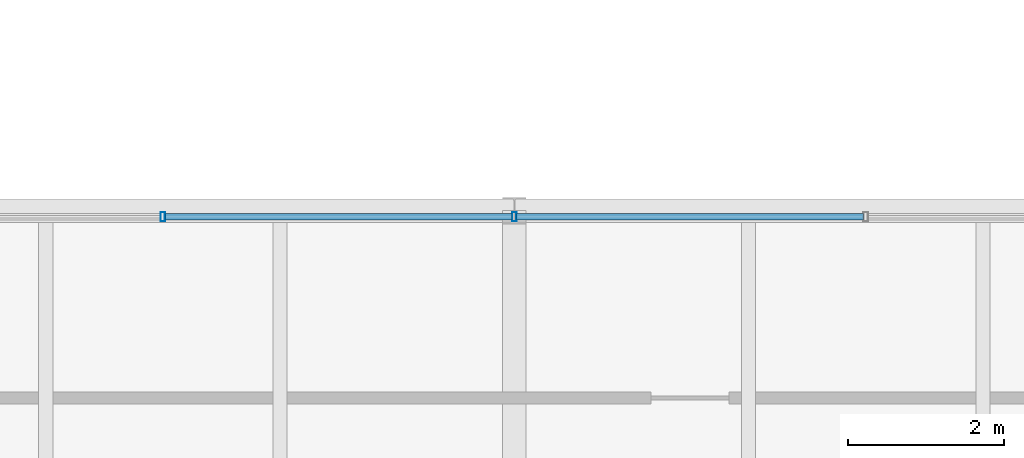
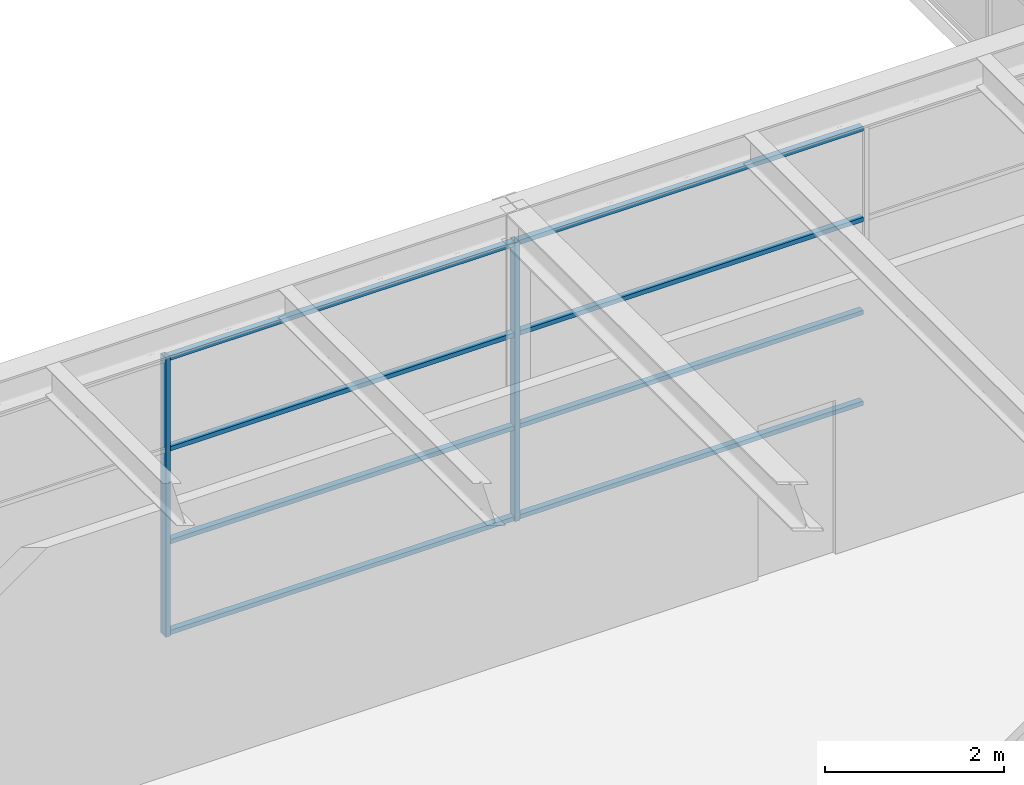
# One storey, part 38 of 153: 10 members, 1 element without a shape of its own.
"""IFC4 building model written with IfcOpenShell, lengths in metres."""

from ifc_helpers import new_model, si_unit, direction, frame, origin, origin_2d, place, context, subcontext, project, spatial, hollow_rectangle, extrude, material, material_profile, profile_set, type_object, element, aggregate, save


model = new_model("IFC4")

# Units and contexts
model_context = context("Model", 3, precision=1e-05, world=origin(), true_north=direction((0.0, 1.0)))
body_context = subcontext(model_context, "Body", "Model", "MODEL_VIEW")
ifc_project = project(units=[si_unit("LENGTHUNIT", "METRE"), si_unit("AREAUNIT", "SQUARE_METRE"), si_unit("VOLUMEUNIT", "CUBIC_METRE"), si_unit("PLANEANGLEUNIT", "RADIAN"), si_unit("MASSUNIT", "GRAM", prefix="KILO")], contexts=[model_context])

# Site, building, storey
site_placement = place(None, origin())
site = spatial("IfcSite", under=ifc_project, at=site_placement, CompositionType="ELEMENT")
building_placement = place(site_placement, origin())
building = spatial("IfcBuilding", under=site, at=building_placement, Name="Kallimachos Central Library", CompositionType="ELEMENT")
storey_placement = place(building_placement, frame((0.0, 0.0, 5.39990234375)))
storey = spatial("IfcBuildingStorey", under=building, at=storey_placement, Name="L01", CompositionType="ELEMENT", Elevation=5.39990234375)

# Curtain wall, members
ifc_material_1 = material(Name="Aluminium and laminated glass", Category="aluminium")
curtain_wall_type = type_object("IfcCurtainWallType", Name="Atrium glazed screen", PredefinedType="NOTDEFINED", material=ifc_material_1)
curtain_wall_placement = place(storey_placement, origin())
curtain_wall = element("IfcCurtainWall", 1, at=curtain_wall_placement, inside=storey, type_object=curtain_wall_type, Name="L01 atrium screen S", PredefinedType="NOTDEFINED")
ifc_material_2 = material(Name="Anodised aluminium", Category="aluminium")
ifc_material_profile_1 = material_profile(ifc_material_2, hollow_rectangle(XDim=0.06005859375, YDim=0.1201171875, WallThickness=0.00390625, at=origin_2d()), Name="ALU MULLION 60x120")
ifc_profile_set_1 = profile_set([ifc_material_profile_1], Name="Anodised aluminium")
member_type_1 = type_object("IfcMemberType", Name="Atrium screen mullion", PredefinedType="MULLION", material=ifc_profile_set_1)
member_1_placement = place(storey_placement, frame((88.0, 56.919921875, 0.0), z_axis=(0.0, 0.0, 1.0), x_axis=(1.0, 0.0, 0.0)))
member_1 = element("IfcMember", 2, at=member_1_placement, type_object=member_type_1, Name="CW mullion 4", PredefinedType="MULLION", context=body_context, shape_type="SweptSolid", body=[
    extrude(hollow_rectangle(XDim=0.06005859375, YDim=0.1201171875, WallThickness=0.00390625, at=origin_2d()), origin(), (0.0, 0.0, 1.0), 3.800048828125),
])
member_2_placement = place(storey_placement, frame((92.5, 56.919921875, 0.0), z_axis=(0.0, 0.0, 1.0), x_axis=(1.0, 0.0, 0.0)))
member_2 = element("IfcMember", 3, at=member_2_placement, type_object=member_type_1, Name="CW mullion 5", PredefinedType="MULLION", context=body_context, shape_type="SweptSolid", body=[
    extrude(hollow_rectangle(XDim=0.06005859375, YDim=0.1201171875, WallThickness=0.00390625, at=origin_2d()), origin(), (0.0, 0.0, 1.0), 3.800048828125),
])
ifc_material_3 = material(Name="Anodised aluminium", Category="aluminium")
ifc_material_profile_2 = material_profile(ifc_material_3, hollow_rectangle(XDim=0.06005859375, YDim=0.080078125, WallThickness=0.00390625, at=origin_2d()), Name="ALU TRANSOM 60x80")
ifc_profile_set_2 = profile_set([ifc_material_profile_2], Name="Anodised aluminium")
member_type_2 = type_object("IfcMemberType", Name="Atrium screen transom", PredefinedType="USERDEFINED", material=ifc_profile_set_2)
member_3_placement = place(storey_placement, frame((88.030029296875, 56.919921875, 0.030029296875), z_axis=(1.0, 0.0, 0.0), x_axis=(0.0, 0.0, 1.0)))
member_3 = element("IfcMember", 4, at=member_3_placement, type_object=member_type_2, Name="CW transom 4.1", ObjectType="TRANSOM", PredefinedType="USERDEFINED", context=body_context, shape_type="SweptSolid", body=[
    extrude(hollow_rectangle(XDim=0.06005859375, YDim=0.080078125, WallThickness=0.00390625, at=origin_2d()), origin(), (0.0, 0.0, 1.0), 4.43994140625),
])
member_4_placement = place(storey_placement, frame((88.030029296875, 56.919921875, 1.266845703125), z_axis=(1.0, 0.0, 0.0), x_axis=(0.0, 0.0, 1.0)))
member_4 = element("IfcMember", 5, at=member_4_placement, type_object=member_type_2, Name="CW transom 4.2", ObjectType="TRANSOM", PredefinedType="USERDEFINED", context=body_context, shape_type="SweptSolid", body=[
    extrude(hollow_rectangle(XDim=0.06005859375, YDim=0.080078125, WallThickness=0.00390625, at=origin_2d()), origin(), (0.0, 0.0, 1.0), 4.43994140625),
])
member_5_placement = place(storey_placement, frame((88.030029296875, 56.919921875, 2.533447265625), z_axis=(1.0, 0.0, 0.0), x_axis=(0.0, 0.0, 1.0)))
member_5 = element("IfcMember", 6, at=member_5_placement, type_object=member_type_2, Name="CW transom 4.3", ObjectType="TRANSOM", PredefinedType="USERDEFINED", context=body_context, shape_type="SweptSolid", body=[
    extrude(hollow_rectangle(XDim=0.06005859375, YDim=0.080078125, WallThickness=0.00390625, at=origin_2d()), origin(), (0.0, 0.0, 1.0), 4.43994140625),
])
member_6_placement = place(storey_placement, frame((88.030029296875, 56.919921875, 3.77001953125), z_axis=(1.0, 0.0, 0.0), x_axis=(0.0, 0.0, 1.0)))
member_6 = element("IfcMember", 7, at=member_6_placement, type_object=member_type_2, Name="CW transom 4.4", ObjectType="TRANSOM", PredefinedType="USERDEFINED", context=body_context, shape_type="SweptSolid", body=[
    extrude(hollow_rectangle(XDim=0.06005859375, YDim=0.080078125, WallThickness=0.00390625, at=origin_2d()), origin(), (0.0, 0.0, 1.0), 4.43994140625),
])
member_7_placement = place(storey_placement, frame((92.530029296875, 56.919921875, 0.030029296875), z_axis=(1.0, 0.0, 0.0), x_axis=(0.0, 0.0, 1.0)))
member_7 = element("IfcMember", 8, at=member_7_placement, type_object=member_type_2, Name="CW transom 5.1", ObjectType="TRANSOM", PredefinedType="USERDEFINED", context=body_context, shape_type="SweptSolid", body=[
    extrude(hollow_rectangle(XDim=0.06005859375, YDim=0.080078125, WallThickness=0.00390625, at=origin_2d()), origin(), (0.0, 0.0, 1.0), 4.43994140625),
])
member_8_placement = place(storey_placement, frame((92.530029296875, 56.919921875, 1.266845703125), z_axis=(1.0, 0.0, 0.0), x_axis=(0.0, 0.0, 1.0)))
member_8 = element("IfcMember", 9, at=member_8_placement, type_object=member_type_2, Name="CW transom 5.2", ObjectType="TRANSOM", PredefinedType="USERDEFINED", context=body_context, shape_type="SweptSolid", body=[
    extrude(hollow_rectangle(XDim=0.06005859375, YDim=0.080078125, WallThickness=0.00390625, at=origin_2d()), origin(), (0.0, 0.0, 1.0), 4.43994140625),
])
member_9_placement = place(storey_placement, frame((92.530029296875, 56.919921875, 2.533447265625), z_axis=(1.0, 0.0, 0.0), x_axis=(0.0, 0.0, 1.0)))
member_9 = element("IfcMember", 10, at=member_9_placement, type_object=member_type_2, Name="CW transom 5.3", ObjectType="TRANSOM", PredefinedType="USERDEFINED", context=body_context, shape_type="SweptSolid", body=[
    extrude(hollow_rectangle(XDim=0.06005859375, YDim=0.080078125, WallThickness=0.00390625, at=origin_2d()), origin(), (0.0, 0.0, 1.0), 4.43994140625),
])
member_10_placement = place(storey_placement, frame((92.530029296875, 56.919921875, 3.77001953125), z_axis=(1.0, 0.0, 0.0), x_axis=(0.0, 0.0, 1.0)))
member_10 = element("IfcMember", 11, at=member_10_placement, type_object=member_type_2, Name="CW transom 5.4", ObjectType="TRANSOM", PredefinedType="USERDEFINED", context=body_context, shape_type="SweptSolid", body=[
    extrude(hollow_rectangle(XDim=0.06005859375, YDim=0.080078125, WallThickness=0.00390625, at=origin_2d()), origin(), (0.0, 0.0, 1.0), 4.43994140625),
])
aggregate(curtain_wall, [member_1, member_2, member_3, member_4, member_5, member_6, member_7, member_8, member_9, member_10])

save(model, "model.ifc")
